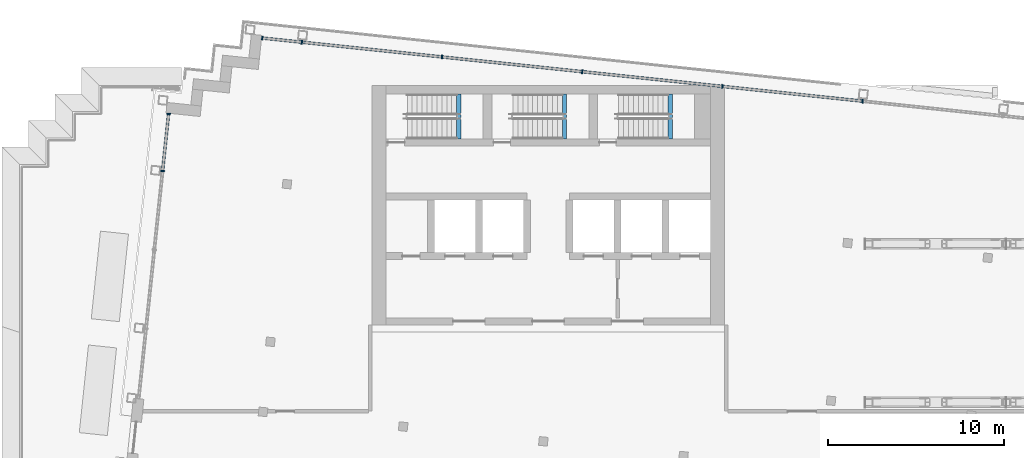
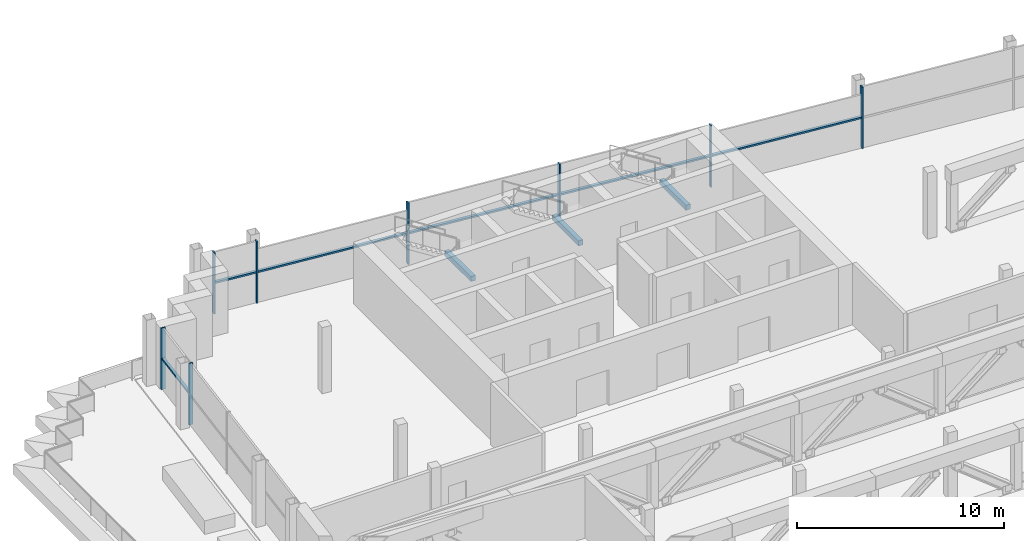
# One storey, part 4 of 18: 14 members, 3 beams, 2 elements without a shape of their own.
"""IFC4 building model written with IfcOpenShell, lengths in metres."""

from ifc_helpers import new_model, si_unit, direction, frame, origin, origin_2d, place, context, subcontext, project, spatial, rectangle, extrude, material, material_profile, profile_set, type_object, element, aggregate, save


model = new_model("IFC4")

# Units and contexts
model_context = context("Model", 3, precision=1e-05, world=origin(), true_north=direction((0.0, 1.0)))
body_context = subcontext(model_context, "Body", "Model", "MODEL_VIEW")
ifc_project = project(units=[si_unit("LENGTHUNIT", "METRE"), si_unit("AREAUNIT", "SQUARE_METRE"), si_unit("VOLUMEUNIT", "CUBIC_METRE"), si_unit("PLANEANGLEUNIT", "RADIAN"), si_unit("MASSUNIT", "GRAM", prefix="KILO")], contexts=[model_context])

# Site, building, storey
site_placement = place(None, origin())
site = spatial("IfcSite", under=ifc_project, at=site_placement, CompositionType="ELEMENT")
building_placement = place(site_placement, origin())
building = spatial("IfcBuilding", under=site, at=building_placement, Name="Vidyagriha Tower", CompositionType="ELEMENT")
storey_placement = place(building_placement, frame((0.0, 0.0, 249.199951171875)))
storey = spatial("IfcBuildingStorey", under=building, at=storey_placement, Name="L64", CompositionType="ELEMENT", Elevation=249.199951171875)

# Curtain wall, members
ifc_material_1 = material(Name="Aluminium and glass curtain wall", Category="aluminium")
curtain_wall_type = type_object("IfcCurtainWallType", Name="Plant louvre wall", PredefinedType="USERDEFINED", material=ifc_material_1)
curtain_wall_1_placement = place(storey_placement, origin())
curtain_wall_1 = element("IfcCurtainWall", 1, at=curtain_wall_1_placement, inside=storey, type_object=curtain_wall_type, Name="CW7 plant louvre wall", ObjectType="STICK GLAZING", PredefinedType="USERDEFINED")
ifc_material_2 = material(Name="Aluminium black anodised", Category="aluminium")
ifc_material_profile_1 = material_profile(ifc_material_2, rectangle(XDim=0.219970703125, YDim=0.080078125, at=origin_2d()), Name="Mullion 80x220 black aluminium")
ifc_profile_set_1 = profile_set([ifc_material_profile_1], Name="Aluminium black anodised")
member_type_1 = type_object("IfcMemberType", Name="Mullion 80x220 black aluminium", PredefinedType="MULLION", material=ifc_profile_set_1)
member_1_placement = place(storey_placement, frame((17.840087890625, 19.1005859375, 0.0), z_axis=(0.0, 0.0, 1.0), x_axis=(-0.104528852722, -0.994521854435, 0.0)))
member_1 = element("IfcMember", 2, at=member_1_placement, type_object=member_type_1, Name="CW7 mullion 3", PredefinedType="MULLION", context=body_context, shape_type="SweptSolid", body=[
    extrude(rectangle(XDim=0.219970703125, YDim=0.080078125, at=origin_2d()), origin(), (0.0, 0.0, 1.0), 3.6201171875),
])
member_2_placement = place(storey_placement, frame((9.884033203125, 19.936767578125, 0.0), z_axis=(0.0, 0.0, 1.0), x_axis=(-0.104528852722, -0.994521854435, 0.0)))
member_2 = element("IfcMember", 3, at=member_2_placement, type_object=member_type_1, Name="CW7 mullion 4", PredefinedType="MULLION", context=body_context, shape_type="SweptSolid", body=[
    extrude(rectangle(XDim=0.219970703125, YDim=0.080078125, at=origin_2d()), origin(), (0.0, 0.0, 1.0), 3.6201171875),
])
member_3_placement = place(storey_placement, frame((1.927978515625, 20.773193359375, 0.0), z_axis=(0.0, 0.0, 1.0), x_axis=(-0.104528852722, -0.994521854435, 0.0)))
member_3 = element("IfcMember", 4, at=member_3_placement, type_object=member_type_1, Name="CW7 mullion 5", PredefinedType="MULLION", context=body_context, shape_type="SweptSolid", body=[
    extrude(rectangle(XDim=0.219970703125, YDim=0.080078125, at=origin_2d()), origin(), (0.0, 0.0, 1.0), 3.6201171875),
])
member_4_placement = place(storey_placement, frame((-6.0283203125, 21.609375, 0.0), z_axis=(0.0, 0.0, 1.0), x_axis=(-0.104528852722, -0.994521854435, 0.0)))
member_4 = element("IfcMember", 5, at=member_4_placement, type_object=member_type_1, Name="CW7 mullion 6", PredefinedType="MULLION", context=body_context, shape_type="SweptSolid", body=[
    extrude(rectangle(XDim=0.219970703125, YDim=0.080078125, at=origin_2d()), origin(), (0.0, 0.0, 1.0), 3.6201171875),
])
member_5_placement = place(storey_placement, frame((-13.984375, 22.445556640625, 0.0), z_axis=(0.0, 0.0, 1.0), x_axis=(-0.104528852722, -0.994521854435, 0.0)))
member_5 = element("IfcMember", 6, at=member_5_placement, type_object=member_type_1, Name="CW7 mullion 7", PredefinedType="MULLION", context=body_context, shape_type="SweptSolid", body=[
    extrude(rectangle(XDim=0.219970703125, YDim=0.080078125, at=origin_2d()), origin(), (0.0, 0.0, 1.0), 3.6201171875),
])
member_6_placement = place(storey_placement, frame((-16.232177734375, 22.681884765625, 0.0), z_axis=(0.0, 0.0, 1.0), x_axis=(-0.104528852722, -0.994521854435, 0.0)))
member_6 = element("IfcMember", 7, at=member_6_placement, type_object=member_type_1, Name="CW7 mullion 8", PredefinedType="MULLION", context=body_context, shape_type="SweptSolid", body=[
    extrude(rectangle(XDim=0.219970703125, YDim=0.080078125, at=origin_2d()), origin(), (0.0, 0.0, 1.0), 3.6201171875),
])

curtain_wall_2_placement = place(storey_placement, origin())
curtain_wall_2 = element("IfcCurtainWall", 8, at=curtain_wall_2_placement, inside=storey, type_object=curtain_wall_type, Name="CW7 plant louvre wall", ObjectType="STICK GLAZING", PredefinedType="USERDEFINED")
member_7_placement = place(storey_placement, frame((-21.551513671875, 18.374267578125, 0.0), z_axis=(0.0, 0.0, 1.0), x_axis=(0.994521979723, -0.104527660683, 0.0)))
member_7 = element("IfcMember", 9, at=member_7_placement, type_object=member_type_1, Name="CW7 mullion 1", PredefinedType="MULLION", context=body_context, shape_type="SweptSolid", body=[
    extrude(rectangle(XDim=0.219970703125, YDim=0.080078125, at=origin_2d()), origin(), (0.0, 0.0, 1.0), 3.6201171875),
])
member_8_placement = place(storey_placement, frame((-21.892333984375, 15.132080078125, 0.0), z_axis=(0.0, 0.0, 1.0), x_axis=(0.994521979723, -0.104527660683, 0.0)))
member_8 = element("IfcMember", 10, at=member_8_placement, type_object=member_type_1, Name="CW7 mullion 2", PredefinedType="MULLION", context=body_context, shape_type="SweptSolid", body=[
    extrude(rectangle(XDim=0.219970703125, YDim=0.080078125, at=origin_2d()), origin(), (0.0, 0.0, 1.0), 3.6201171875),
])

# Beams
ifc_material_3 = material(Name="Concrete C40/50", Category="concrete")
ifc_material_profile_2 = material_profile(ifc_material_3, rectangle(XDim=0.25, YDim=0.300048828125, at=origin_2d()), Name="Stair landing bearing beam 250x300")
ifc_profile_set_2 = profile_set([ifc_material_profile_2], Name="Concrete C40/50")
beam_type = type_object("IfcBeamType", Name="Stair landing bearing beam 250x300", PredefinedType="BEAM", material=ifc_profile_set_2)
for number, where, z_axis, x_axis, name in (
    (11, (-5.074951171875, 16.949951171875, 1.60009765625), (0.0, 1.0, 0.0), (-1.0, 0.0, 0.0), "ST1 landing bearing beam L64"),
    (12, (0.925048828125, 16.949951171875, 1.60009765625), (0.0, 1.0, 0.0), (-1.0, 0.0, 0.0), "ST2 landing bearing beam L64"),
    (13, (6.925048828125, 16.949951171875, 1.60009765625), (0.0, 1.0, 0.0), (-1.0, 0.0, 0.0), "ST3 landing bearing beam L64"),
):
    element("IfcBeam", number, at=place(storey_placement, frame(where, z_axis=z_axis, x_axis=x_axis)), inside=storey, type_object=beam_type, Name=name, PredefinedType="BEAM", context=body_context, shape_type="SweptSolid", body=[
        extrude(rectangle(XDim=0.25, YDim=0.300048828125, at=origin_2d()), origin(), (0.0, 0.0, 1.0), 2.550048828125),
    ])

# Member
ifc_material_4 = material(Name="Aluminium black anodised", Category="aluminium")
ifc_material_profile_3 = material_profile(ifc_material_4, rectangle(XDim=0.159912109375, YDim=0.10009765625, at=origin_2d()), Name="Transom 100x160 black aluminium")
ifc_profile_set_3 = profile_set([ifc_material_profile_3], Name="Aluminium black anodised")
member_type_2 = type_object("IfcMemberType", Name="Transom 100x160 black aluminium", PredefinedType="USERDEFINED", material=ifc_profile_set_3)
member_9_placement = place(storey_placement, frame((17.800537109375, 19.104736328125, 1.81005859375), z_axis=(-0.994521824685, 0.104529135775, 0.0), x_axis=(-0.104529135775, -0.994521824685, 0.0)))
member_9 = element("IfcMember", 14, at=member_9_placement, type_object=member_type_2, Name="CW7 transom 3.1", ObjectType="TRANSOM", PredefinedType="USERDEFINED", context=body_context, shape_type="SweptSolid", body=[
    extrude(rectangle(XDim=0.159912109375, YDim=0.10009765625, at=origin_2d()), origin(), (0.0, 0.0, 1.0), 7.920166015625),
])

member_10_placement = place(storey_placement, frame((9.84423828125, 19.941162109375, 1.81005859375), z_axis=(-0.99452148786, 0.10453234038, 0.0), x_axis=(-0.10453234038, -0.99452148786, 0.0)))
member_10 = element("IfcMember", 15, at=member_10_placement, type_object=member_type_2, Name="CW7 transom 4.1", ObjectType="TRANSOM", PredefinedType="USERDEFINED", context=body_context, shape_type="SweptSolid", body=[
    extrude(rectangle(XDim=0.159912109375, YDim=0.10009765625, at=origin_2d()), origin(), (0.0, 0.0, 1.0), 7.919921875),
])

member_11_placement = place(storey_placement, frame((1.88818359375, 20.77734375, 1.81005859375), z_axis=(-0.994521824685, 0.104529135775, 0.0), x_axis=(-0.104529135775, -0.994521824685, 0.0)))
member_11 = element("IfcMember", 16, at=member_11_placement, type_object=member_type_2, Name="CW7 transom 5.1", ObjectType="TRANSOM", PredefinedType="USERDEFINED", context=body_context, shape_type="SweptSolid", body=[
    extrude(rectangle(XDim=0.159912109375, YDim=0.10009765625, at=origin_2d()), origin(), (0.0, 0.0, 1.0), 7.920166015625),
])

member_12_placement = place(storey_placement, frame((-6.068115234375, 21.613525390625, 1.81005859375), z_axis=(-0.994521824685, 0.104529135775, 0.0), x_axis=(-0.104529135775, -0.994521824685, 0.0)))
member_12 = element("IfcMember", 17, at=member_12_placement, type_object=member_type_2, Name="CW7 transom 6.1", ObjectType="TRANSOM", PredefinedType="USERDEFINED", context=body_context, shape_type="SweptSolid", body=[
    extrude(rectangle(XDim=0.159912109375, YDim=0.10009765625, at=origin_2d()), origin(), (0.0, 0.0, 1.0), 7.920166015625),
])

member_13_placement = place(storey_placement, frame((-14.024169921875, 22.44970703125, 1.81005859375), z_axis=(-0.994515266179, 0.104591516565, 0.0), x_axis=(-0.104591516565, -0.994515266179, 0.0)))
member_13 = element("IfcMember", 18, at=member_13_placement, type_object=member_type_2, Name="CW7 transom 7.1", ObjectType="TRANSOM", PredefinedType="USERDEFINED", context=body_context, shape_type="SweptSolid", body=[
    extrude(rectangle(XDim=0.159912109375, YDim=0.10009765625, at=origin_2d()), origin(), (0.0, 0.0, 1.0), 2.18017578125),
])

aggregate(curtain_wall_1, [member_1, member_2, member_3, member_4, member_5, member_6, member_9, member_10, member_11, member_12, member_13])

member_14_placement = place(storey_placement, frame((-21.5556640625, 18.33447265625, 1.81005859375), z_axis=(-0.1045648916, -0.994518065922, 0.0), x_axis=(0.994518065922, -0.1045648916, 0.0)))
member_14 = element("IfcMember", 19, at=member_14_placement, type_object=member_type_2, Name="CW7 transom 1.1", ObjectType="TRANSOM", PredefinedType="USERDEFINED", context=body_context, shape_type="SweptSolid", body=[
    extrude(rectangle(XDim=0.159912109375, YDim=0.10009765625, at=origin_2d()), origin(), (0.0, 0.0, 1.0), 3.179931640625),
])

aggregate(curtain_wall_2, [member_7, member_8, member_14])

save(model, "model.ifc")
